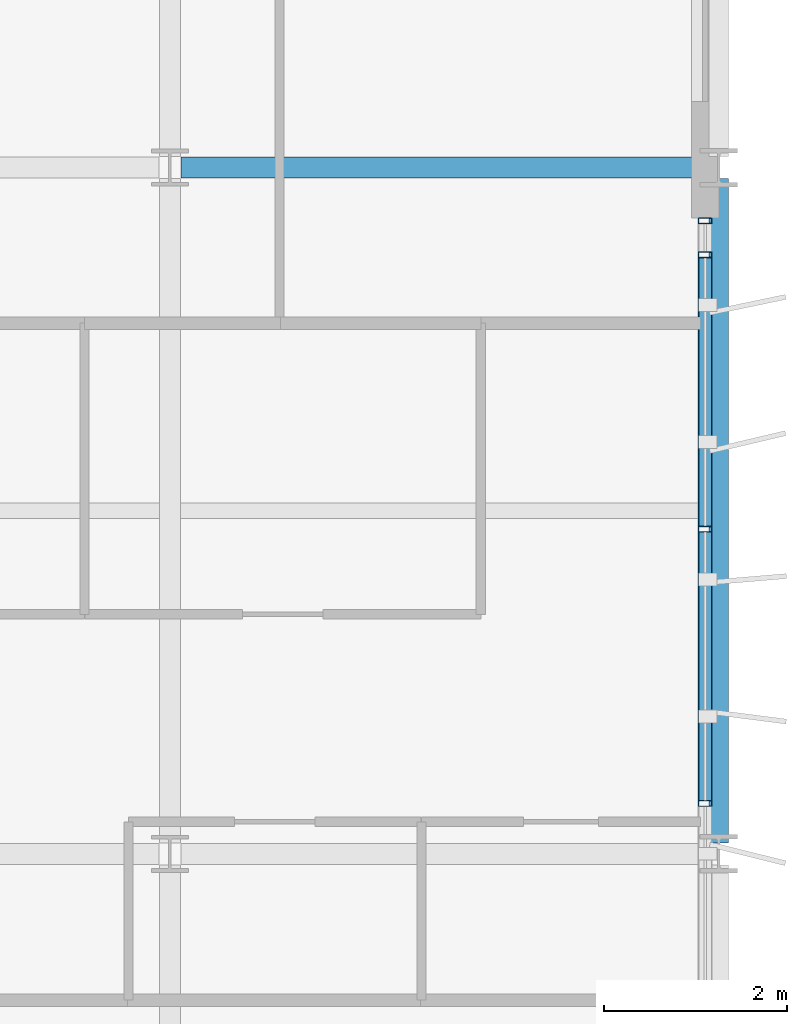
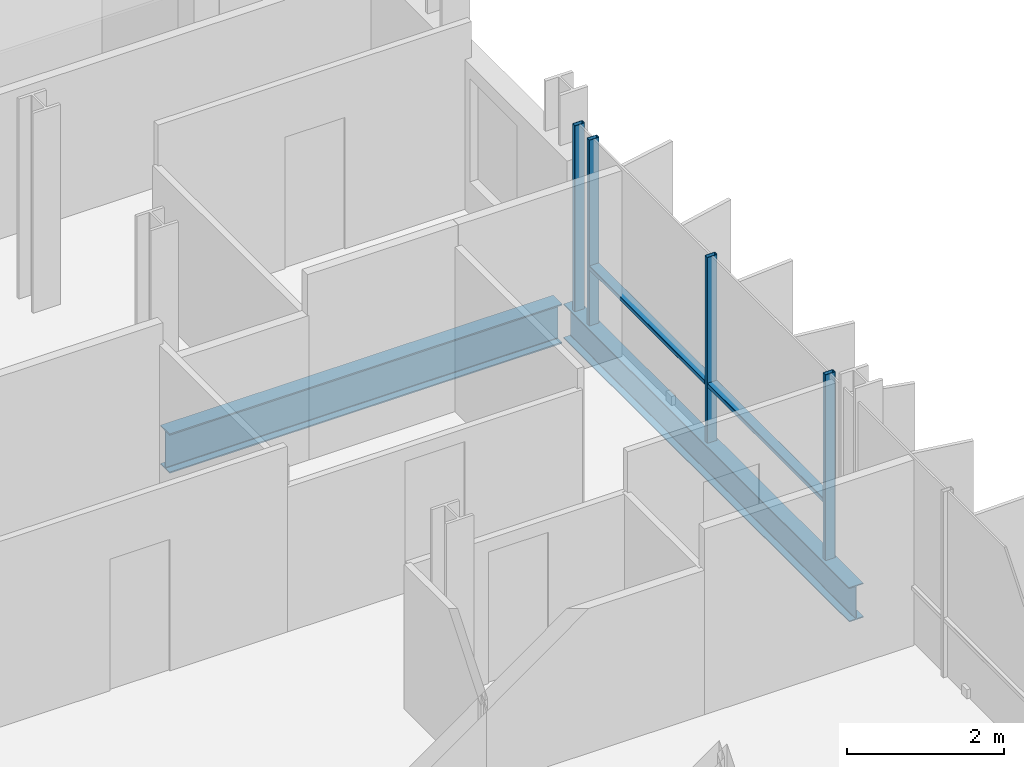
# One storey, part 21 of 38: 6 members, 2 beams, 1 element without a shape of its own.
"""IFC4 building model written with IfcOpenShell, lengths in metres."""

from ifc_helpers import new_model, si_unit, direction, frame, origin, origin_2d, place, context, subcontext, project, spatial, hollow_rectangle, i_section, extrude, material, layer, layer_set, material_profile, profile_set, type_object, element, aggregate, save


model = new_model("IFC4")

# Units and contexts
model_context = context("Model", 3, precision=1e-05, world=origin(), true_north=direction((0.0, 1.0)))
body_context = subcontext(model_context, "Body", "Model", "MODEL_VIEW")
ifc_project = project(units=[si_unit("LENGTHUNIT", "METRE"), si_unit("AREAUNIT", "SQUARE_METRE"), si_unit("VOLUMEUNIT", "CUBIC_METRE"), si_unit("PLANEANGLEUNIT", "RADIAN"), si_unit("MASSUNIT", "GRAM", prefix="KILO")], contexts=[model_context])

# Site, building, storey
site_placement = place(None, origin())
site = spatial("IfcSite", under=ifc_project, at=site_placement, CompositionType="ELEMENT")
building_placement = place(site_placement, origin())
building = spatial("IfcBuilding", under=site, at=building_placement, Name="Brevholm Reach", CompositionType="ELEMENT")
storey_placement = place(building_placement, frame((0.0, 0.0, 166.60009765625)))
storey = spatial("IfcBuildingStorey", under=building, at=storey_placement, Name="L50", CompositionType="ELEMENT", Elevation=166.60009765625)

# Beams
ifc_material_1 = material(Name="Structural Steel S355J2", Category="steel")
ifc_material_profile_1 = material_profile(ifc_material_1, i_section(OverallWidth=0.209228515625, OverallDepth=0.533203125, WebThickness=0.010009765625, FlangeThickness=0.015625, FilletRadius=0.0126953125, at=origin_2d()), Name="UKB 533x210x92")
ifc_profile_set_1 = profile_set([ifc_material_profile_1], Name="Structural Steel S355J2")
beam_type_1 = type_object("IfcBeamType", Name="BM-SP533", PredefinedType="SPANDREL", material=ifc_profile_set_1)
beam_1_placement = place(storey_placement, frame((60.0, 16.1201171875, -0.486572265625), z_axis=(0.0, 1.0, 0.0), x_axis=(-1.0, 0.0, 0.0)))
element("IfcBeam", 1, at=beam_1_placement, inside=storey, type_object=beam_type_1, Name="L50 SP-02 Framing Beam", PredefinedType="SPANDREL", context=body_context, shape_type="SweptSolid", body=[
    extrude(i_section(OverallWidth=0.209228515625, OverallDepth=0.533203125, WebThickness=0.010009765625, FlangeThickness=0.015625, FilletRadius=0.0126953125, at=origin_2d()), origin(), (0.0, 0.0, 1.0), 7.259765625),
])
ifc_material_2 = material(Name="Structural Steel S355J2", Category="steel")
ifc_material_profile_2 = material_profile(ifc_material_2, i_section(OverallWidth=0.22900390625, OverallDepth=0.6123046875, WebThickness=0.011962890625, FlangeThickness=0.01953125, FilletRadius=0.0126953125, at=origin_2d()), Name="UKB 610x229x125")
ifc_profile_set_2 = profile_set([ifc_material_profile_2], Name="Structural Steel S355J2")
beam_type_2 = type_object("IfcBeamType", Name="BM-SP610", PredefinedType="SPANDREL", material=ifc_profile_set_2)
beam_2_placement = place(storey_placement, frame((54.1201171875, 23.5, -0.526123046875), z_axis=(1.0, 0.0, 0.0), x_axis=(0.0, 1.0, 0.0)))
element("IfcBeam", 2, at=beam_2_placement, inside=storey, type_object=beam_type_2, Name="L50 SP-01 Framing Beam", PredefinedType="SPANDREL", context=body_context, shape_type="SweptSolid", body=[
    extrude(i_section(OverallWidth=0.22900390625, OverallDepth=0.6123046875, WebThickness=0.011962890625, FlangeThickness=0.01953125, FilletRadius=0.0126953125, at=origin_2d()), origin(), (0.0, 0.0, 1.0), 5.759765625),
])

# Curtain wall, members
ifc_material_3 = material(Name="Dark Anodised Aluminium 6063-T6 and Solar-Control Glass", Category="aluminium")
ifc_layer = layer(ifc_material_3, 0.14990234375)
ifc_layer_set = layer_set([ifc_layer], Name="Dark Anodised Aluminium 6063-T6 and Solar-Control Glass")
curtain_wall_type = type_object("IfcCurtainWallType", Name="CW-01", PredefinedType="NOTDEFINED", material=ifc_layer_set)
curtain_wall_placement = place(storey_placement, origin())
curtain_wall = element("IfcCurtainWall", 3, at=curtain_wall_placement, inside=storey, type_object=curtain_wall_type, Name="L50 Curtain Wall CW-01", PredefinedType="NOTDEFINED")
ifc_material_4 = material(Name="Dark Anodised Aluminium 6063-T6", Category="aluminium")
ifc_material_profile_3 = material_profile(ifc_material_4, hollow_rectangle(XDim=0.06494140625, YDim=0.14990234375, WallThickness=0.0048828125, InnerFilletRadius=0.0048828125, OuterFilletRadius=0.010009765625, at=origin_2d()), Name="RHS 150x65x5")
ifc_profile_set_3 = profile_set([ifc_material_profile_3], Name="Dark Anodised Aluminium 6063-T6")
member_type_1 = type_object("IfcMemberType", Name="CWM-150", PredefinedType="MULLION", material=ifc_profile_set_3)
member_1_placement = place(storey_placement, frame((59.85009765625, 16.550048828125, 0.0), z_axis=(0.0, 0.0, 1.0), x_axis=(0.0, 1.0, 0.0)))
member_1 = element("IfcMember", 4, at=member_1_placement, type_object=member_type_1, Name="CM-150 Mullion 3", PredefinedType="MULLION", context=body_context, shape_type="SweptSolid", body=[
    extrude(hollow_rectangle(XDim=0.06494140625, YDim=0.14990234375, WallThickness=0.0048828125, InnerFilletRadius=0.0048828125, OuterFilletRadius=0.010009765625, at=origin_2d()), origin(), (0.0, 0.0, 1.0), 2.8798828125),
])
member_2_placement = place(storey_placement, frame((59.85009765625, 19.550048828125, 0.0), z_axis=(0.0, 0.0, 1.0), x_axis=(0.0, 1.0, 0.0)))
member_2 = element("IfcMember", 5, at=member_2_placement, type_object=member_type_1, Name="CM-150 Mullion 4", PredefinedType="MULLION", context=body_context, shape_type="SweptSolid", body=[
    extrude(hollow_rectangle(XDim=0.06494140625, YDim=0.14990234375, WallThickness=0.0048828125, InnerFilletRadius=0.0048828125, OuterFilletRadius=0.010009765625, at=origin_2d()), origin(), (0.0, 0.0, 1.0), 2.8798828125),
])
member_3_placement = place(storey_placement, frame((59.85009765625, 22.550048828125, 0.0), z_axis=(0.0, 0.0, 1.0), x_axis=(0.0, 1.0, 0.0)))
member_3 = element("IfcMember", 6, at=member_3_placement, type_object=member_type_1, Name="CM-150 Mullion 5", PredefinedType="MULLION", context=body_context, shape_type="SweptSolid", body=[
    extrude(hollow_rectangle(XDim=0.06494140625, YDim=0.14990234375, WallThickness=0.0048828125, InnerFilletRadius=0.0048828125, OuterFilletRadius=0.010009765625, at=origin_2d()), origin(), (0.0, 0.0, 1.0), 2.8798828125),
])
member_4_placement = place(storey_placement, frame((59.85009765625, 22.91748046875, 0.0), z_axis=(0.0, 0.0, 1.0), x_axis=(0.0, 1.0, 0.0)))
member_4 = element("IfcMember", 7, at=member_4_placement, type_object=member_type_1, Name="CM-150 Mullion 6", PredefinedType="MULLION", context=body_context, shape_type="SweptSolid", body=[
    extrude(hollow_rectangle(XDim=0.06494140625, YDim=0.14990234375, WallThickness=0.0048828125, InnerFilletRadius=0.0048828125, OuterFilletRadius=0.010009765625, at=origin_2d()), origin(), (0.0, 0.0, 1.0), 2.8798828125),
])
ifc_material_5 = material(Name="Dark Anodised Aluminium 6063-T6", Category="aluminium")
ifc_material_profile_4 = material_profile(ifc_material_5, hollow_rectangle(XDim=0.06494140625, YDim=0.14990234375, WallThickness=0.0048828125, InnerFilletRadius=0.0048828125, OuterFilletRadius=0.010009765625, at=origin_2d()), Name="RHS 150x65x5")
ifc_profile_set_4 = profile_set([ifc_material_profile_4], Name="Dark Anodised Aluminium 6063-T6")
member_type_2 = type_object("IfcMemberType", Name="CWT-150", PredefinedType="NOTDEFINED", material=ifc_profile_set_4)
member_5_placement = place(storey_placement, frame((59.85009765625, 16.58251953125, 0.89990234375), z_axis=(0.0, 1.0, 0.0), x_axis=(0.0, 0.0, 1.0)))
member_5 = element("IfcMember", 8, at=member_5_placement, type_object=member_type_2, Name="CT-150 Transom 3.1", ObjectType="TRANSOM", PredefinedType="USERDEFINED", context=body_context, shape_type="SweptSolid", body=[
    extrude(hollow_rectangle(XDim=0.06494140625, YDim=0.14990234375, WallThickness=0.0048828125, InnerFilletRadius=0.0048828125, OuterFilletRadius=0.010009765625, at=origin_2d()), origin(), (0.0, 0.0, 1.0), 2.93505859375),
])
member_6_placement = place(storey_placement, frame((59.85009765625, 19.58251953125, 0.89990234375), z_axis=(0.0, 1.0, 0.0), x_axis=(0.0, 0.0, 1.0)))
member_6 = element("IfcMember", 9, at=member_6_placement, type_object=member_type_2, Name="CT-150 Transom 4.1", ObjectType="TRANSOM", PredefinedType="USERDEFINED", context=body_context, shape_type="SweptSolid", body=[
    extrude(hollow_rectangle(XDim=0.06494140625, YDim=0.14990234375, WallThickness=0.0048828125, InnerFilletRadius=0.0048828125, OuterFilletRadius=0.010009765625, at=origin_2d()), origin(), (0.0, 0.0, 1.0), 2.93505859375),
])
aggregate(curtain_wall, [member_1, member_2, member_3, member_4, member_5, member_6])

save(model, "model.ifc")
